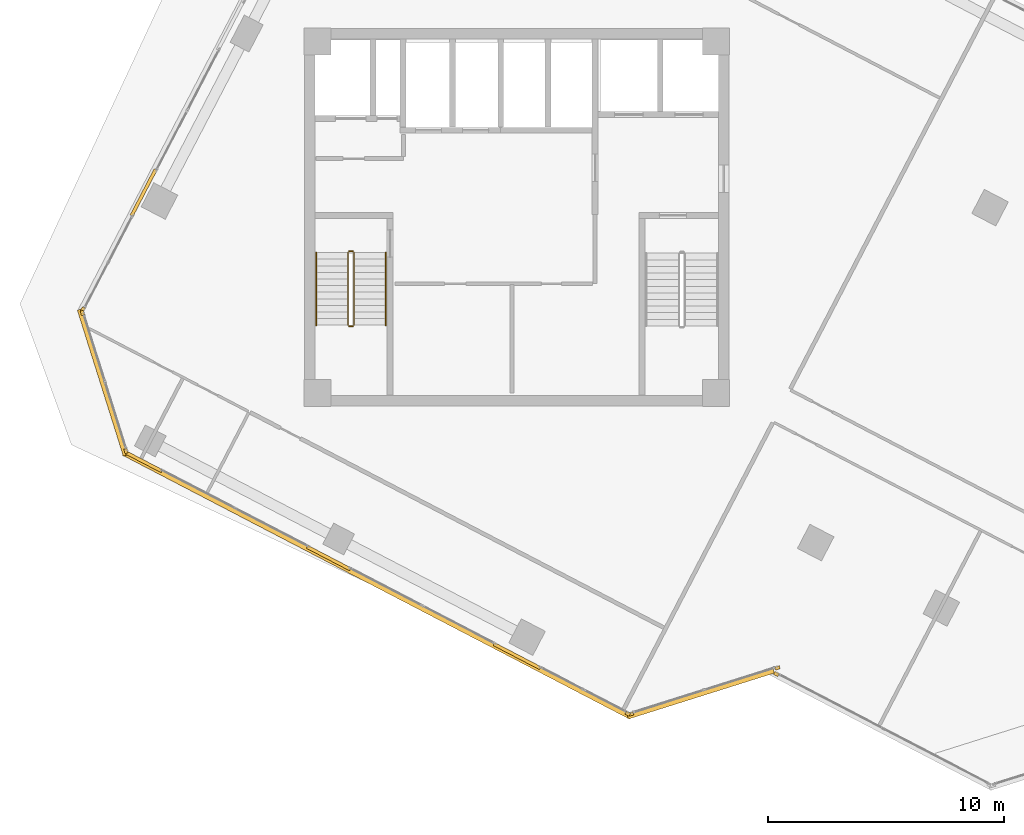
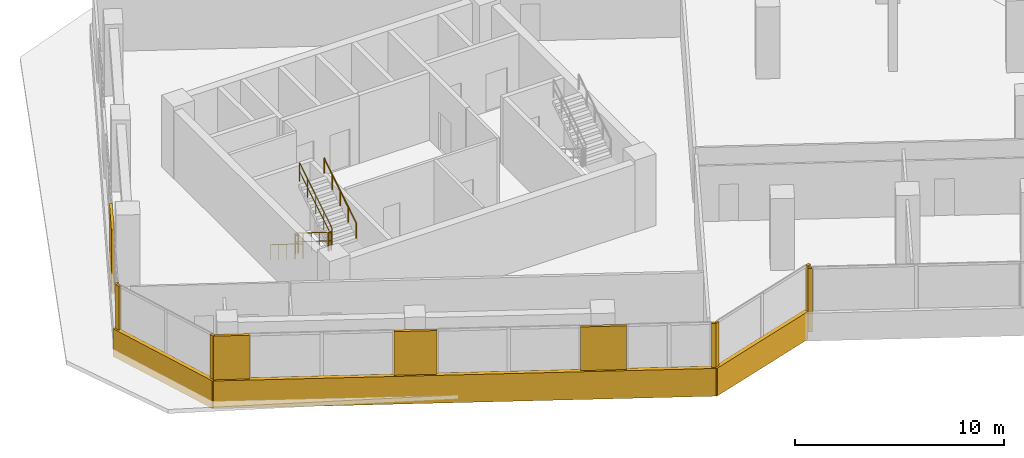
# One storey, part 19 of 22: 14 coverings, 6 railings.
"""IFC4 building model written with IfcOpenShell, lengths in metres."""

from ifc_helpers import new_model, si_unit, direction, frame, origin, origin_2d, place, context, subcontext, project, spatial, rectangle, circle, extrude, source, transform, mapped, material, layer, layer_set, type_object, element, save


model = new_model("IFC4")

# Units and contexts
model_context = context("Model", 3, precision=1e-05, world=origin(), true_north=direction((0.0, 1.0)))
body_context = subcontext(model_context, "Body", "Model", "MODEL_VIEW")
ifc_project = project(units=[si_unit("LENGTHUNIT", "METRE"), si_unit("AREAUNIT", "SQUARE_METRE"), si_unit("VOLUMEUNIT", "CUBIC_METRE"), si_unit("PLANEANGLEUNIT", "RADIAN"), si_unit("MASSUNIT", "GRAM", prefix="KILO")], contexts=[model_context])

# Site, building, storey
site_placement = place(None, origin())
site = spatial("IfcSite", under=ifc_project, at=site_placement, CompositionType="ELEMENT")
building_placement = place(site_placement, origin())
building = spatial("IfcBuilding", under=site, at=building_placement, Name="Torre Montelarca", CompositionType="ELEMENT")
storey_placement = place(building_placement, frame((0.0, 0.0, 166.60009765625)))
storey = spatial("IfcBuildingStorey", under=building, at=storey_placement, Name="L37", CompositionType="ELEMENT", Elevation=166.60009765625)

# Railings
ifc_material_1 = material(Name="Powder-coated steel ASTM A500 Grade C", Category="steel")
railing_type_1 = type_object("IfcRailingType", Name="RL-GUARD-1100", PredefinedType="BALUSTRADE", material=ifc_material_1)
railing_1_placement = place(storey_placement, frame((10.85009765625, 30.5, 0.1748046875)))
element("IfcRailing", 1, at=railing_1_placement, inside=storey, type_object=railing_type_1, Name="L37 ST1 stair guard 1", PredefinedType="BALUSTRADE", context=body_context, shape_type="SweptSolid", body=[
    extrude(circle(Radius=0.02392578125, at=origin_2d()), frame((0.0, 0.0, 1.076171875), z_axis=(0.0, -0.847998304005, 0.529998940003), x_axis=(1.0, 0.0, 0.0)), (0.0, 0.0, 1.0), 3.632080078125),
    extrude(circle(Radius=0.02099609375, at=origin_2d()), frame((0.0, 0.0, 0.572021484375), z_axis=(0.0, -0.847998304005, 0.529998940003), x_axis=(1.0, 0.0, 0.0)), (0.0, 0.0, 1.0), 3.632080078125),
    extrude(circle(Radius=0.02099609375, at=origin_2d()), origin(), (0.0, 0.0, 1.0), 1.052001953125),
    extrude(circle(Radius=0.02099609375, at=origin_2d()), frame((0.0, -0.77001953125, 0.481201171875)), (0.0, 0.0, 1.0), 1.052001953125),
    extrude(circle(Radius=0.02099609375, at=origin_2d()), frame((0.0, -1.5400390625, 0.96240234375)), (0.0, 0.0, 1.0), 1.052001953125),
    extrude(circle(Radius=0.02099609375, at=origin_2d()), frame((0.0, -2.31005859375, 1.44384765625)), (0.0, 0.0, 1.0), 1.052001953125),
    extrude(circle(Radius=0.02099609375, at=origin_2d()), frame((0.0, -3.080078125, 1.925048828125)), (0.0, 0.0, 1.0), 1.052001953125),
])
railing_2_placement = place(storey_placement, frame((10.89990234375, 27.3701171875, 2.099853515625)))
element("IfcRailing", 2, at=railing_2_placement, inside=storey, type_object=railing_type_1, Name="L37 ST1 stair guard 2", PredefinedType="BALUSTRADE", context=body_context, shape_type="SweptSolid", body=[
    extrude(circle(Radius=0.02392578125, at=origin_2d()), frame((0.0, 0.0, 1.076171875), z_axis=(1.0, 0.0, 0.0), x_axis=(0.0, 1.0, 0.0)), (0.0, 0.0, 1.0), 0.150146484375),
    extrude(circle(Radius=0.02099609375, at=origin_2d()), frame((0.0, 0.0, 0.572021484375), z_axis=(1.0, 0.0, 0.0), x_axis=(0.0, 1.0, 0.0)), (0.0, 0.0, 1.0), 0.150146484375),
    extrude(circle(Radius=0.02099609375, at=origin_2d()), origin(), (0.0, 0.0, 1.0), 1.052001953125),
    extrude(circle(Radius=0.02099609375, at=origin_2d()), frame((0.150146484375, 0.0, 0.0)), (0.0, 0.0, 1.0), 1.052001953125),
])
railing_3_placement = place(storey_placement, frame((11.10009765625, 27.419921875, 2.27490234375)))
element("IfcRailing", 3, at=railing_3_placement, inside=storey, type_object=railing_type_1, Name="L37 ST1 stair guard 3", PredefinedType="BALUSTRADE", context=body_context, shape_type="SweptSolid", body=[
    extrude(circle(Radius=0.02392578125, at=origin_2d()), frame((0.0, 0.0, 1.076171875), z_axis=(0.0, 0.847998304005, 0.529998940003), x_axis=(-1.0, 0.0, 0.0)), (0.0, 0.0, 1.0), 3.632080078125),
    extrude(circle(Radius=0.02099609375, at=origin_2d()), frame((0.0, 0.0, 0.572021484375), z_axis=(0.0, 0.847998304005, 0.529998940003), x_axis=(-1.0, 0.0, 0.0)), (0.0, 0.0, 1.0), 3.632080078125),
    extrude(circle(Radius=0.02099609375, at=origin_2d()), origin(), (0.0, 0.0, 1.0), 1.052001953125),
    extrude(circle(Radius=0.02099609375, at=origin_2d()), frame((0.0, 0.77001953125, 0.481201171875)), (0.0, 0.0, 1.0), 1.052001953125),
    extrude(circle(Radius=0.02099609375, at=origin_2d()), frame((0.0, 1.5400390625, 0.96240234375)), (0.0, 0.0, 1.0), 1.052001953125),
    extrude(circle(Radius=0.02099609375, at=origin_2d()), frame((0.0, 2.31005859375, 1.44384765625)), (0.0, 0.0, 1.0), 1.052001953125),
    extrude(circle(Radius=0.02099609375, at=origin_2d()), frame((0.0, 3.080078125, 1.925048828125)), (0.0, 0.0, 1.0), 1.052001953125),
])
railing_4_placement = place(storey_placement, frame((10.89990234375, 30.550048828125, 0.0)))
element("IfcRailing", 4, at=railing_4_placement, inside=storey, type_object=railing_type_1, Name="L37 ST1 stair guard 4", PredefinedType="BALUSTRADE", context=body_context, shape_type="SweptSolid", body=[
    extrude(circle(Radius=0.02392578125, at=origin_2d()), frame((0.0, 0.0, 1.076171875), z_axis=(1.0, 0.0, 0.0), x_axis=(0.0, 1.0, 0.0)), (0.0, 0.0, 1.0), 0.150146484375),
    extrude(circle(Radius=0.02099609375, at=origin_2d()), frame((0.0, 0.0, 0.572021484375), z_axis=(1.0, 0.0, 0.0), x_axis=(0.0, 1.0, 0.0)), (0.0, 0.0, 1.0), 0.150146484375),
    extrude(circle(Radius=0.02099609375, at=origin_2d()), origin(), (0.0, 0.0, 1.0), 1.052001953125),
    extrude(circle(Radius=0.02099609375, at=origin_2d()), frame((0.150146484375, 0.0, 0.0)), (0.0, 0.0, 1.0), 1.052001953125),
])
ifc_material_2 = material(Name="Brushed stainless steel AISI 316", Category="steel")
railing_type_2 = type_object("IfcRailingType", Name="RL-HANDRAIL-900", PredefinedType="HANDRAIL", material=ifc_material_2)
railing_5_placement = place(storey_placement, frame((9.5, 30.5, 0.1748046875)))
element("IfcRailing", 5, at=railing_5_placement, inside=storey, type_object=railing_type_2, Name="L37 ST1 stair handrail 1", PredefinedType="HANDRAIL", context=body_context, shape_type="SweptSolid", body=[
    extrude(circle(Radius=0.02392578125, at=origin_2d()), frame((0.0, 0.0, 0.8759765625), z_axis=(0.0, -0.847998304005, 0.529998940003), x_axis=(1.0, 0.0, 0.0)), (0.0, 0.0, 1.0), 3.632080078125),
    extrude(circle(Radius=0.02099609375, at=origin_2d()), origin(), (0.0, 0.0, 1.0), 0.851806640625),
    extrude(circle(Radius=0.02099609375, at=origin_2d()), frame((0.0, -0.77001953125, 0.481201171875)), (0.0, 0.0, 1.0), 0.851806640625),
    extrude(circle(Radius=0.02099609375, at=origin_2d()), frame((0.0, -1.5400390625, 0.96240234375)), (0.0, 0.0, 1.0), 0.851806640625),
    extrude(circle(Radius=0.02099609375, at=origin_2d()), frame((0.0, -2.31005859375, 1.44384765625)), (0.0, 0.0, 1.0), 0.851806640625),
    extrude(circle(Radius=0.02099609375, at=origin_2d()), frame((0.0, -3.080078125, 1.925048828125)), (0.0, 0.0, 1.0), 0.851806640625),
])
railing_6_placement = place(storey_placement, frame((12.449951171875, 27.419921875, 2.27490234375)))
element("IfcRailing", 6, at=railing_6_placement, inside=storey, type_object=railing_type_2, Name="L37 ST1 stair handrail 2", PredefinedType="HANDRAIL", context=body_context, shape_type="SweptSolid", body=[
    extrude(circle(Radius=0.02392578125, at=origin_2d()), frame((0.0, 0.0, 0.8759765625), z_axis=(0.0, 0.847998304005, 0.529998940003), x_axis=(-1.0, 0.0, 0.0)), (0.0, 0.0, 1.0), 3.632080078125),
    extrude(circle(Radius=0.02099609375, at=origin_2d()), origin(), (0.0, 0.0, 1.0), 0.851806640625),
    extrude(circle(Radius=0.02099609375, at=origin_2d()), frame((0.0, 0.77001953125, 0.481201171875)), (0.0, 0.0, 1.0), 0.851806640625),
    extrude(circle(Radius=0.02099609375, at=origin_2d()), frame((0.0, 1.5400390625, 0.96240234375)), (0.0, 0.0, 1.0), 0.851806640625),
    extrude(circle(Radius=0.02099609375, at=origin_2d()), frame((0.0, 2.31005859375, 1.44384765625)), (0.0, 0.0, 1.0), 0.851806640625),
    extrude(circle(Radius=0.02099609375, at=origin_2d()), frame((0.0, 3.080078125, 1.925048828125)), (0.0, 0.0, 1.0), 0.851806640625),
])

# Coverings
ifc_material_3 = material(Name="Bush-hammered warm white precast concrete C45/55", Category="concrete")
ifc_layer = layer(ifc_material_3, 0.139892578125, Name="Bush-hammered warm white precast concrete C45/55", Category="concrete")
ifc_layer_set = layer_set([ifc_layer], Name="Bush-hammered warm white precast concrete C45/55")
covering_type = type_object("IfcCoveringType", Name="COV-TRAY-CLAD", PredefinedType="CLADDING", material=ifc_layer_set)
shared_shape_1 = source(origin(), body_context, "Body", "SweptSolid", [
    extrude(rectangle(XDim=6.48388671875, YDim=0.219970703125, at=origin_2d()), origin(), (0.0, 0.0, 1.0), 1.6201171875),
])
for number, where, z_axis, x_axis, name in (
    (7, (25.790283203125, 11.808837890625, -0.4501953125), (0.0, 0.0, 1.0), (0.953715901081, 0.300709128603, 0.0), "L37 Architectural White Spandrel Tray Band TRYBOT-02"),
    (8, (0.45947265625, 24.9951171875, -0.4501953125), (0.0, 0.0, 1.0), (0.300695812187, -0.95372009968, 0.0), "L37 Architectural White Spandrel Tray Band TRYBOT-11"),
):
    element("IfcCovering", number, at=place(storey_placement, frame(where, z_axis=z_axis, x_axis=x_axis)), inside=storey, type_object=covering_type, Name=name, PredefinedType="CLADDING", context=body_context, shape_type="MappedRepresentation", body=[
        mapped(shared_shape_1, transform((0.0, 0.0, 0.0), scale=1.0)),
    ])
shared_shape_2 = source(origin(), body_context, "Body", "SweptSolid", [
    extrude(rectangle(XDim=0.199951171875, YDim=0.139892578125, at=origin_2d()), origin(), (0.0, 0.0, 1.0), 3.719970703125),
])
for number, where, z_axis, x_axis, name in (
    (9, (22.70361328125, 10.95654296875, 0.0), (0.0, 0.0, 1.0), (0.887010833178, -0.461748613235, 0.0), "L37 Architectural Column Pier Cladding E01-4"),
    (10, (22.847900390625, 10.944091796875, 0.0), (0.0, 0.0, 1.0), (0.953715901081, 0.300709128603, 0.0), "L37 Architectural Column Pier Cladding E02-1"),
    (11, (29.047119140625, 12.898681640625, 0.0), (0.0, 0.0, 1.0), (0.953715901081, 0.300709128603, 0.0), "L37 Architectural Column Pier Cladding E02-2"),
    (12, (28.999755859375, 12.639404296875, 0.0), (0.0, 0.0, 1.0), (0.88701163908, -0.461747065108, 0.0), "L37 Architectural Column Pier Cladding E04-1"),
    (13, (-0.392578125, 28.08203125, 0.0), (0.0, 0.0, 1.0), (-0.46174551698, -0.88701244498, 0.0), "L37 Architectural Column Pier Cladding E10-5"),
    (14, (-0.4052734375, 27.9375, 0.0), (0.0, 0.0, 1.0), (0.300690818516, -0.953721674106, 0.0), "L37 Architectural Column Pier Cladding E11-1"),
    (15, (1.438720703125, 22.089111328125, 0.0), (0.0, 0.0, 1.0), (0.300690818516, -0.953721674106, 0.0), "L37 Architectural Column Pier Cladding E11-2"),
):
    element("IfcCovering", number, at=place(storey_placement, frame(where, z_axis=z_axis, x_axis=x_axis)), inside=storey, type_object=covering_type, Name=name, PredefinedType="CLADDING", context=body_context, shape_type="MappedRepresentation", body=[
        mapped(shared_shape_2, transform((0.0, 0.0, 0.0), scale=1.0)),
    ])
shared_shape_3 = source(origin(), body_context, "Body", "SweptSolid", [
    extrude(rectangle(XDim=2.2099609375, YDim=0.139892578125, at=origin_2d()), origin(), (0.0, 0.0, 1.0), 3.719970703125),
])
for number, where, z_axis, x_axis, name in (
    (16, (18.016357421875, 13.396484375, 0.0), (0.0, 0.0, 1.0), (0.887010833178, -0.461748613235, 0.0), "L37 Architectural Column Pier Cladding E01-3"),
    (17, (2.185791015625, 33.035400390625, 0.0), (0.0, 0.0, 1.0), (-0.46174551698, -0.88701244498, 0.0), "L37 Architectural Column Pier Cladding E10-4"),
):
    element("IfcCovering", number, at=place(storey_placement, frame(where, z_axis=z_axis, x_axis=x_axis)), inside=storey, type_object=covering_type, Name=name, PredefinedType="CLADDING", context=body_context, shape_type="MappedRepresentation", body=[
        mapped(shared_shape_3, transform((0.0, 0.0, 0.0), scale=1.0)),
    ])
shared_shape_4 = source(origin(), body_context, "Body", "SweptSolid", [
    extrude(rectangle(XDim=1.714111328125, YDim=0.139892578125, at=origin_2d()), origin(), (0.0, 0.0, 1.0), 3.719970703125),
])
covering_1_placement = place(storey_placement, frame((2.203369140625, 21.628173828125, 0.0), z_axis=(0.0, 0.0, 1.0), x_axis=(0.887010833178, -0.461748613235, 0.0)))
element("IfcCovering", 18, at=covering_1_placement, inside=storey, type_object=covering_type, Name="L37 Architectural Column Pier Cladding E01-1", PredefinedType="CLADDING", context=body_context, shape_type="MappedRepresentation", body=[
    mapped(shared_shape_4, transform((0.0, 0.0, 0.0), scale=1.0)),
])
shared_shape_5 = source(origin(), body_context, "Body", "SweptSolid", [
    extrude(rectangle(XDim=2.06005859375, YDim=0.139892578125, at=origin_2d()), origin(), (0.0, 0.0, 1.0), 3.719970703125),
])
covering_2_placement = place(storey_placement, frame((10.033203125, 17.55224609375, 0.0), z_axis=(0.0, 0.0, 1.0), x_axis=(0.887010833178, -0.461748613235, 0.0)))
element("IfcCovering", 19, at=covering_2_placement, inside=storey, type_object=covering_type, Name="L37 Architectural Column Pier Cladding E01-2", PredefinedType="CLADDING", context=body_context, shape_type="MappedRepresentation", body=[
    mapped(shared_shape_5, transform((0.0, 0.0, 0.0), scale=1.0)),
])
shared_shape_6 = source(origin(), body_context, "Body", "SweptSolid", [
    extrude(rectangle(XDim=24.22021484375, YDim=0.219970703125, at=origin_2d()), origin(), (0.0, 0.0, 1.0), 1.6201171875),
])
covering_3_placement = place(storey_placement, frame((12.090087890625, 16.4140625, -0.4501953125), z_axis=(0.0, 0.0, 1.0), x_axis=(0.887010027274, -0.46175016136, 0.0)))
element("IfcCovering", 20, at=covering_3_placement, inside=storey, type_object=covering_type, Name="L37 Architectural White Spandrel Tray Band TRYBOT-01", PredefinedType="CLADDING", context=body_context, shape_type="MappedRepresentation", body=[
    mapped(shared_shape_6, transform((0.0, 0.0, 0.0), scale=1.0)),
])

save(model, "model.ifc")
